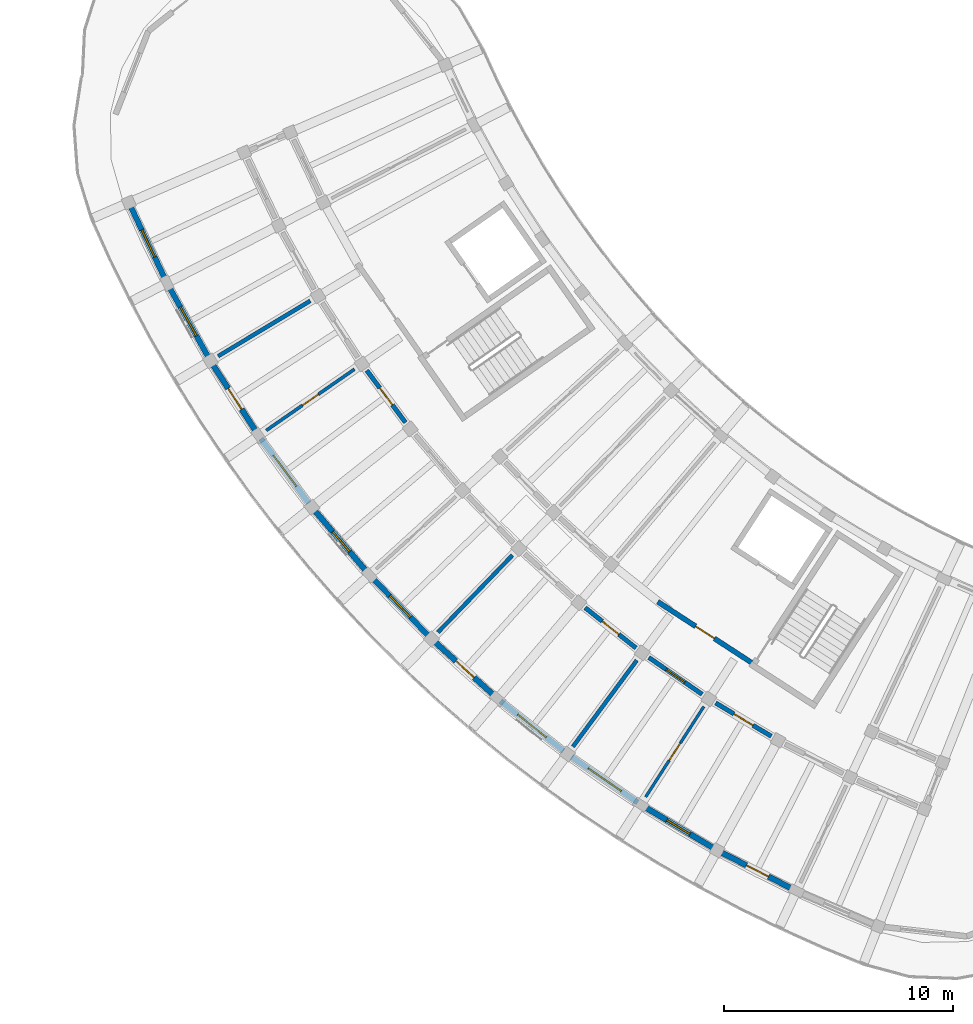
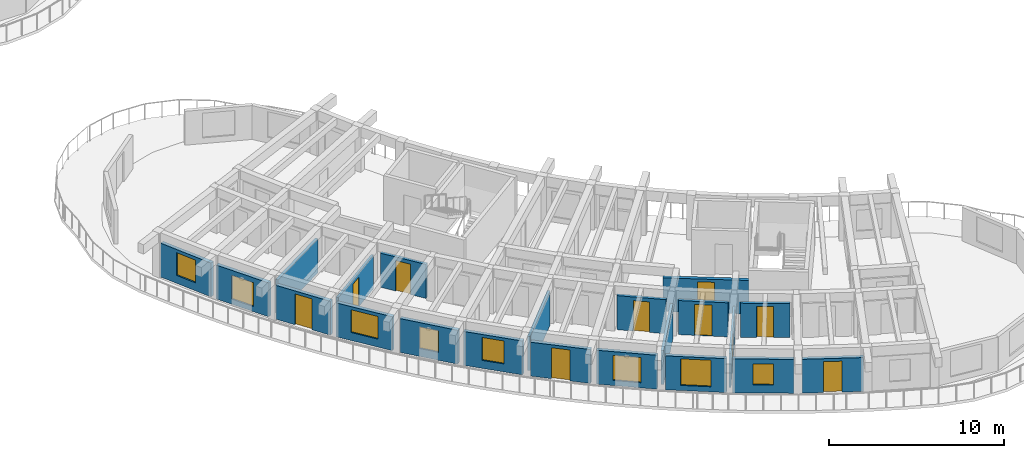
# One storey, part 22 of 56: 21 walls, 10 doors, 8 windows, 18 openings.
"""IFC4 building model written with IfcOpenShell, lengths in metres."""

import ifcopenshell
import ifcopenshell.guid

model = None  # the IFC model being written
_history = None  # IfcOwnerHistory: only IFC2X3 demands one
_inside = {}  # id of a spatial element -> (the spatial element, [elements in it])
_under = {}  # id of a project, library or spatial element -> (it, [spatial elements below it])
_declared = {}  # id of a project -> (the project, [libraries it declares])
_typed = {}  # id of a type object -> (the type object, [elements of that type])
_made_of = {}  # id of a material, layer set ... -> (it, [elements and type objects made of it])


def new_model(schema):
    """Start an empty IFC model of exactly this schema.

    Asked for "IFC4X3", IfcOpenShell would pick the latest addendum, in which some entities
    have other attributes; the version numbers below select the first issue.
    IFC2X3 requires an IfcOwnerHistory on every rooted entity: one is made here for all.
    """
    global model, _history
    if schema == "IFC4X3":
        model = ifcopenshell.file(schema_version=(4, 3, 0, 0))
    else:
        model = ifcopenshell.file(schema=schema)
    _inside.clear()
    _under.clear()
    _declared.clear()
    _typed.clear()
    _made_of.clear()
    _history = None
    if model.schema == "IFC2X3":
        org = make("IfcOrganization", Name="unknown")
        user = make(
            "IfcPersonAndOrganization",
            ThePerson=make("IfcPerson", FamilyName="unknown"),
            TheOrganization=org,
        )
        app = make(
            "IfcApplication",
            ApplicationDeveloper=org,
            Version="unknown",
            ApplicationFullName="unknown",
            ApplicationIdentifier="unknown",
        )
        _history = make(
            "IfcOwnerHistory",
            OwningUser=user,
            OwningApplication=app,
            ChangeAction="ADDED",
            CreationDate=0,
        )
    return model


def make(cls, **values):
    """One entity of the class cls with the attributes given. An attribute that is None is left unset."""
    return model.create_entity(
        cls, **{name: value for name, value in values.items() if value is not None}
    )


def rooted(cls, **values):
    """An entity with a GlobalId (a new one), such as an element, a storey or a relation."""
    return make(cls, GlobalId=ifcopenshell.guid.new(), OwnerHistory=_history, **values)


def si_unit(unit_type, name, prefix=None):
    """IfcSIUnit, for example si_unit("LENGTHUNIT", "METRE", prefix="MILLI")."""
    return make("IfcSIUnit", UnitType=unit_type, Prefix=prefix, Name=name)


def assignment(units):
    """IfcUnitAssignment: the units of a project."""
    return None if units is None else make("IfcUnitAssignment", Units=units)


def point(xyz):
    """IfcCartesianPoint."""
    return None if xyz is None else make("IfcCartesianPoint", Coordinates=xyz)


def direction(xyz):
    """IfcDirection."""
    return None if xyz is None else make("IfcDirection", DirectionRatios=xyz)


def frame(location, z_axis=None, x_axis=None):
    """IfcAxis2Placement3D, a coordinate frame: its origin and axes. An axis left out is left unset."""
    return make(
        "IfcAxis2Placement3D",
        Location=point(location),
        Axis=direction(z_axis),
        RefDirection=direction(x_axis),
    )


def frame_2d(location, x_axis=None):
    """IfcAxis2Placement2D, a coordinate frame in the plane: its origin and x axis."""
    return make(
        "IfcAxis2Placement2D", Location=point(location), RefDirection=direction(x_axis)
    )


def origin():
    """The frame at (0, 0, 0) with its axes left unset."""
    return frame((0.0, 0.0, 0.0))


def place(relative_to, where):
    """IfcLocalPlacement: puts the frame where relative to a parent placement (None: the world)."""
    return make(
        "IfcLocalPlacement", PlacementRelTo=relative_to, RelativePlacement=where
    )


def context(
    kind, dimensions, precision=None, world=None, true_north=None, identifier=None
):
    """IfcGeometricRepresentationContext, for example the 3D "Model" context."""
    return make(
        "IfcGeometricRepresentationContext",
        ContextIdentifier=identifier,
        ContextType=kind,
        CoordinateSpaceDimension=dimensions,
        Precision=precision,
        WorldCoordinateSystem=world,
        TrueNorth=true_north,
    )


def subcontext(parent, identifier, kind, view, scale=None):
    """IfcGeometricRepresentationSubContext, for example "Body" below "Model"."""
    return make(
        "IfcGeometricRepresentationSubContext",
        ContextIdentifier=identifier,
        ContextType=kind,
        ParentContext=parent,
        TargetScale=scale,
        TargetView=view,
    )


def project(units=None, contexts=None):
    """IfcProject with its units and contexts."""
    return rooted(
        "IfcProject",
        Name="project",
        RepresentationContexts=contexts,
        UnitsInContext=assignment(units),
    )


def spatial(cls, under=None, at=None, **own):
    """A site, building, storey or space (cls), placed at a placement, below another one or the project."""
    s = rooted(cls, ObjectPlacement=at, **own)
    if under is not None:
        _under.setdefault(under.id(), (under, []))[1].append(s)
    return s


def profile(cls, at=None, kind="AREA", **sizes):
    """A parametric profile (cls). Its sizes go by their IFC names, for example OverallWidth=200.0."""
    return make(cls, ProfileType=kind, Position=at, **sizes)


def rectangle(**sizes):
    """IfcRectangleProfileDef."""
    return profile("IfcRectangleProfileDef", **sizes)


def extrude(swept, where, along, depth):
    """IfcExtrudedAreaSolid: the profile swept, set in the frame where, extruded along a direction by depth."""
    return make(
        "IfcExtrudedAreaSolid",
        SweptArea=swept,
        Position=where,
        ExtrudedDirection=direction(along),
        Depth=depth,
    )


def shape(context_of_items, identifier, shape_type, items):
    """IfcShapeRepresentation: the items that make up one representation, for example the "Body"."""
    return make(
        "IfcShapeRepresentation",
        ContextOfItems=context_of_items,
        RepresentationIdentifier=identifier,
        RepresentationType=shape_type,
        Items=items,
    )


def material(Name=None, Category=None):
    """IfcMaterial."""
    return make("IfcMaterial", Name=Name, Category=Category)


def layer(
    of_material, thickness, ventilated=None, Name=None, Category=None, Priority=None
):
    """IfcMaterialLayer: one layer of a wall or slab, of a material (None: an air gap)."""
    return make(
        "IfcMaterialLayer",
        Material=of_material,
        LayerThickness=thickness,
        IsVentilated=ventilated,
        Name=Name,
        Category=Category,
        Priority=Priority,
    )


def layer_set(layers, Name=None):
    """IfcMaterialLayerSet."""
    return make("IfcMaterialLayerSet", MaterialLayers=layers, LayerSetName=Name)


def made_of(thing, what):
    """Note that an element or type object is made of a material, layer set ...; save() writes the relation."""
    if what is not None:
        _made_of.setdefault(what.id(), (what, []))[1].append(thing)
    return thing


def type_object(cls, material=None, **own):
    """A type object (cls), such as IfcWallType, which elements share."""
    return made_of(rooted(cls, **own), material)


def element(
    cls,
    number,
    at=None,
    inside=None,
    cuts=None,
    type_object=None,
    material=None,
    context=None,
    identifier="Body",
    shape_type=None,
    held_by="IfcProductDefinitionShape",
    body=None,
    shapes=None,
    **own,
):
    """One element of the class cls, such as IfcWall. Its Tag is "e" and its number.

    at: its placement. inside: the storey or other place that contains it. cuts: it is an
    opening in that element (IfcRelVoidsElement). A single representation is given by context,
    identifier, shape_type and body (its items); several are given by shapes. held_by: the class
    of the entity that holds the representations. save() writes the other relations.
    """
    e = rooted(cls, Tag="e%d" % number, ObjectPlacement=at, **own)
    if body is not None:
        shapes = [shape(context, identifier, shape_type, body)]
    if shapes is not None:
        e.Representation = make(held_by, Representations=shapes)
    if inside is not None:
        _inside.setdefault(inside.id(), (inside, []))[1].append(e)
    if cuts is not None:
        rooted(
            "IfcRelVoidsElement", RelatingBuildingElement=cuts, RelatedOpeningElement=e
        )
    if type_object is not None:
        _typed.setdefault(type_object.id(), (type_object, []))[1].append(e)
    return made_of(e, material)


def fill(opening, filler):
    """IfcRelFillsElement: the door or window that sits in an opening."""
    return rooted(
        "IfcRelFillsElement",
        RelatingOpeningElement=opening,
        RelatedBuildingElement=filler,
    )


def aggregate(whole, parts):
    """IfcRelAggregates: a whole, such as a stair, and the parts it consists of."""
    return rooted("IfcRelAggregates", RelatingObject=whole, RelatedObjects=parts)


def save(model, path):
    """Write the relations noted so far, then the file.

    IfcRelAggregates (storeys below a building ...), IfcRelContainedInSpatialStructure (elements
    in a storey), IfcRelDefinesByType, IfcRelAssociatesMaterial and IfcRelDeclares: one each for
    every whole, place, type object, material and project.
    """
    for whole, parts in _under.values():
        aggregate(whole, parts)
    for where, things in _inside.values():
        rooted(
            "IfcRelContainedInSpatialStructure",
            RelatedElements=things,
            RelatingStructure=where,
        )
    for kind, things in _typed.values():
        rooted("IfcRelDefinesByType", RelatedObjects=things, RelatingType=kind)
    for what, things in _made_of.values():
        rooted("IfcRelAssociatesMaterial", RelatedObjects=things, RelatingMaterial=what)
    for by, libraries in _declared.values():
        rooted("IfcRelDeclares", RelatingContext=by, RelatedDefinitions=libraries)
    model.write(path)


model = new_model("IFC4")

# Units and contexts
model_context = context("Model", 3, precision=1e-05, world=origin(), true_north=direction((0.0, 1.0)))
body_context = subcontext(model_context, "Body", "Model", "MODEL_VIEW")
ifc_project = project(units=[si_unit("LENGTHUNIT", "METRE"), si_unit("AREAUNIT", "SQUARE_METRE"), si_unit("VOLUMEUNIT", "CUBIC_METRE"), si_unit("PLANEANGLEUNIT", "RADIAN"), si_unit("MASSUNIT", "GRAM", prefix="KILO")], contexts=[model_context])

# Site, building, storey
site_placement = place(None, origin())
site = spatial("IfcSite", under=ifc_project, at=site_placement, CompositionType="ELEMENT")
building_placement = place(site_placement, origin())
building = spatial("IfcBuilding", under=site, at=building_placement, Name="Tanwirah Colonnade Gardens", CompositionType="ELEMENT")
storey_placement = place(building_placement, frame((0.0, 0.0, 29.0)))
storey = spatial("IfcBuildingStorey", under=building, at=storey_placement, Name="L08", CompositionType="ELEMENT", Elevation=29.0)

# Wall, opening, window
ifc_material_1 = material(Name="Limestone architectural precast concrete C40/50", Category="masonry")
ifc_layer_1 = layer(ifc_material_1, 0.2451171875)
ifc_layer_set_1 = layer_set([ifc_layer_1], Name="Limestone architectural precast concrete C40/50")
wall_type_1 = type_object("IfcWallType", Name="EW-PC245", PredefinedType="SOLIDWALL", material=ifc_layer_set_1)
wall_1_placement = place(storey_placement, frame((10.485595703125, 40.55126953125, 0.0), z_axis=(0.0, 0.0, 1.0), x_axis=(0.428487304129, -0.903547801835, 0.0)))
wall_1 = element("IfcWall", 1, at=wall_1_placement, inside=storey, type_object=wall_type_1, Name="Block C L08 OUT Precast Facade Wall 2", PredefinedType="SOLIDWALL", context=body_context, shape_type="SweptSolid", body=[
    extrude(rectangle(XDim=3.5068359375, YDim=0.2451171875, at=frame_2d((1.75341796875, 0.0))), origin(), (0.0, 0.0, 1.0), 2.35498046875),
])
opening_1_placement = place(wall_1_placement, frame((1.093505859375, 0.0, 0.550048828125)))
opening_1 = element("IfcOpeningElement", 2, at=opening_1_placement, cuts=wall_1, Name="Opening WIN-U05", PredefinedType="OPENING", context=body_context, shape_type="SweptSolid", body=[
    extrude(rectangle(XDim=1.320068359375, YDim=1.5849609375, at=frame_2d((0.66015625, 0.79248046875))), frame((0.0, 0.132568359375, 0.0), z_axis=(0.0, -1.0, 0.0), x_axis=(1.0, 0.0, 0.0)), (0.0, 0.0, 1.0), 0.26513671875),
])
ifc_material_2 = material(Name="Thermally broken bronze aluminium and solar low-E double glazing", Category="aluminium")
window_type_1 = type_object("IfcWindowType", Name="WIN-U05", PartitioningType="DOUBLE_PANEL_VERTICAL", PredefinedType="WINDOW", material=ifc_material_2)
window_1_placement = place(opening_1_placement, origin())
window_1 = element("IfcWindow", 3, at=window_1_placement, inside=storey, type_object=window_type_1, Name="Facade window C-L08-OUT-02", OverallHeight=1.5849609375, OverallWidth=1.320068359375, PartitioningType="SINGLE_PANEL", PredefinedType="WINDOW", context=body_context, shape_type="SweptSolid", body=[
    extrude(rectangle(XDim=1.320068359375, YDim=1.5849609375, at=frame_2d((0.66015625, 0.79248046875))), frame((0.0, 0.030029296875, 0.0), z_axis=(0.0, -1.0, 0.0), x_axis=(1.0, 0.0, 0.0)), (0.0, 0.0, 1.0), 0.06005859375),
])
fill(opening_1, window_1)

wall_2_placement = place(storey_placement, frame((12.139404296875, 37.08935546875, 0.0), z_axis=(0.0, 0.0, 1.0), x_axis=(0.486730241133, -0.873552329495, 0.0)))
wall_2 = element("IfcWall", 4, at=wall_2_placement, inside=storey, type_object=wall_type_1, Name="Block C L08 OUT Precast Facade Wall 3", PredefinedType="SOLIDWALL", context=body_context, shape_type="SweptSolid", body=[
    extrude(rectangle(XDim=3.506591796875, YDim=0.2451171875, at=frame_2d((1.75341796875, 0.0))), origin(), (0.0, 0.0, 1.0), 2.35498046875),
])
opening_2_placement = place(wall_2_placement, frame((1.033447265625, 0.0, 0.35009765625)))
opening_2 = element("IfcOpeningElement", 5, at=opening_2_placement, cuts=wall_2, Name="Opening WIN-U08", PredefinedType="OPENING", context=body_context, shape_type="SweptSolid", body=[
    extrude(rectangle(XDim=1.43994140625, YDim=1.659912109375, at=frame_2d((0.719970703125, 0.830078125))), frame((0.0, 0.132568359375, 0.0), z_axis=(0.0, -1.0, 0.0), x_axis=(1.0, 0.0, 0.0)), (0.0, 0.0, 1.0), 0.26513671875),
])
window_type_2 = type_object("IfcWindowType", Name="WIN-U08", PartitioningType="DOUBLE_PANEL_VERTICAL", PredefinedType="WINDOW", material=ifc_material_2)
window_2_placement = place(opening_2_placement, origin())
window_2 = element("IfcWindow", 6, at=window_2_placement, inside=storey, type_object=window_type_2, Name="Facade window C-L08-OUT-03", OverallHeight=1.659912109375, OverallWidth=1.43994140625, PartitioningType="SINGLE_PANEL", PredefinedType="WINDOW", context=body_context, shape_type="SweptSolid", body=[
    extrude(rectangle(XDim=1.43994140625, YDim=1.659912109375, at=frame_2d((0.719970703125, 0.830078125))), frame((0.0, 0.030029296875, 0.0), z_axis=(0.0, -1.0, 0.0), x_axis=(1.0, 0.0, 0.0)), (0.0, 0.0, 1.0), 0.06005859375),
])
fill(opening_2, window_2)

# Wall, opening, door
wall_3_placement = place(storey_placement, frame((14.077880859375, 33.640625, 0.0), z_axis=(0.0, 0.0, 1.0), x_axis=(0.542803784415, -0.839859542796, 0.0)))
wall_3 = element("IfcWall", 7, at=wall_3_placement, inside=storey, type_object=wall_type_1, Name="Block C L08 OUT Precast Facade Wall 4", PredefinedType="SOLIDWALL", context=body_context, shape_type="SweptSolid", body=[
    extrude(rectangle(XDim=3.5068359375, YDim=0.2451171875, at=frame_2d((1.75341796875, 0.0))), origin(), (0.0, 0.0, 1.0), 2.35498046875),
])
opening_3_placement = place(wall_3_placement, frame((1.21337890625, 0.0, 0.0)))
opening_3 = element("IfcOpeningElement", 8, at=opening_3_placement, cuts=wall_3, Name="Opening L08-ED163", PredefinedType="OPENING", context=body_context, shape_type="SweptSolid", body=[
    extrude(rectangle(XDim=1.080078125, YDim=2.14990234375, at=frame_2d((0.5400390625, 1.074951171875))), frame((0.0, 0.132568359375, 0.0), z_axis=(0.0, -1.0, 0.0), x_axis=(1.0, 0.0, 0.0)), (0.0, 0.0, 1.0), 0.26513671875),
])
ifc_material_3 = material(Name="Bronze aluminium glazed balcony door", Category="aluminium")
door_type_1 = type_object("IfcDoorType", Name="ED-BAL108", OperationType="NOTDEFINED", PredefinedType="DOOR", material=ifc_material_3)
door_1_placement = place(opening_3_placement, origin())
door_1 = element("IfcDoor", 9, at=door_1_placement, inside=storey, type_object=door_type_1, Name="Balcony glazed door L08-ED163", OperationType="SINGLE_SWING_LEFT", OverallHeight=2.14990234375, OverallWidth=1.080078125, PredefinedType="DOOR", context=body_context, shape_type="SweptSolid", body=[
    extrude(rectangle(XDim=1.080078125, YDim=2.14990234375, at=frame_2d((0.5400390625, 1.074951171875))), frame((0.0, 0.02490234375, 0.0), z_axis=(0.0, -1.0, 0.0), x_axis=(1.0, 0.0, 0.0)), (0.0, 0.0, 1.0), 0.050048828125),
])
fill(opening_3, door_1)

# Wall, opening, window
wall_4_placement = place(storey_placement, frame((16.16943359375, 30.42431640625, 0.0), z_axis=(0.0, 0.0, 1.0), x_axis=(0.596563667114, -0.802565754988, 0.0)))
wall_4 = element("IfcWall", 10, at=wall_4_placement, inside=storey, type_object=wall_type_1, Name="Block C L08 OUT Precast Facade Wall 5", PredefinedType="SOLIDWALL", context=body_context, shape_type="SweptSolid", body=[
    extrude(rectangle(XDim=3.5068359375, YDim=0.2451171875, at=frame_2d((1.75341796875, 0.0))), origin(), (0.0, 0.0, 1.0), 2.35498046875),
])
opening_4_placement = place(wall_4_placement, frame((0.913330078125, 0.0, 0.550048828125)))
opening_4 = element("IfcOpeningElement", 11, at=opening_4_placement, cuts=wall_4, Name="Opening WIN-U14", PredefinedType="OPENING", context=body_context, shape_type="SweptSolid", body=[
    extrude(rectangle(XDim=1.679931640625, YDim=1.5849609375, at=frame_2d((0.83984375, 0.79248046875))), frame((0.0, 0.132568359375, 0.0), z_axis=(0.0, -1.0, 0.0), x_axis=(1.0, 0.0, 0.0)), (0.0, 0.0, 1.0), 0.26513671875),
])
window_type_3 = type_object("IfcWindowType", Name="WIN-U14", PartitioningType="DOUBLE_PANEL_VERTICAL", PredefinedType="WINDOW", material=ifc_material_2)
window_3_placement = place(opening_4_placement, origin())
window_3 = element("IfcWindow", 12, at=window_3_placement, inside=storey, type_object=window_type_3, Name="Facade window C-L08-OUT-05", OverallHeight=1.5849609375, OverallWidth=1.679931640625, PartitioningType="SINGLE_PANEL", PredefinedType="WINDOW", context=body_context, shape_type="SweptSolid", body=[
    extrude(rectangle(XDim=1.679931640625, YDim=1.5849609375, at=frame_2d((0.83984375, 0.79248046875))), frame((0.0, 0.030029296875, 0.0), z_axis=(0.0, -1.0, 0.0), x_axis=(1.0, 0.0, 0.0)), (0.0, 0.0, 1.0), 0.06005859375),
])
fill(opening_4, window_3)

wall_5_placement = place(storey_placement, frame((18.54150390625, 27.2578125, 0.0), z_axis=(0.0, 0.0, 1.0), x_axis=(0.647787845689, -0.761820784028, 0.0)))
wall_5 = element("IfcWall", 13, at=wall_5_placement, inside=storey, type_object=wall_type_1, Name="Block C L08 OUT Precast Facade Wall 6", PredefinedType="SOLIDWALL", context=body_context, shape_type="SweptSolid", body=[
    extrude(rectangle(XDim=3.5068359375, YDim=0.2451171875, at=frame_2d((1.75341796875, 0.0))), origin(), (0.0, 0.0, 1.0), 2.35498046875),
])
opening_5_placement = place(wall_5_placement, frame((1.178466796875, 0.0, 0.550048828125)))
opening_5 = element("IfcOpeningElement", 14, at=opening_5_placement, cuts=wall_5, Name="Opening WIN-T01", PredefinedType="OPENING", context=body_context, shape_type="SweptSolid", body=[
    extrude(rectangle(XDim=1.14990234375, YDim=1.5, at=frame_2d((0.574951171875, 0.75))), frame((0.0, 0.132568359375, 0.0), z_axis=(0.0, -1.0, 0.0), x_axis=(1.0, 0.0, 0.0)), (0.0, 0.0, 1.0), 0.26513671875),
])
window_type_4 = type_object("IfcWindowType", Name="WIN-T01", PartitioningType="SINGLE_PANEL", PredefinedType="WINDOW", material=ifc_material_2)
window_4_placement = place(opening_5_placement, origin())
window_4 = element("IfcWindow", 15, at=window_4_placement, inside=storey, type_object=window_type_4, Name="Facade window C-L08-OUT-06", OverallHeight=1.5, OverallWidth=1.14990234375, PartitioningType="SINGLE_PANEL", PredefinedType="WINDOW", context=body_context, shape_type="SweptSolid", body=[
    extrude(rectangle(XDim=1.14990234375, YDim=1.5, at=frame_2d((0.574951171875, 0.75))), frame((0.0, 0.030029296875, 0.0), z_axis=(0.0, -1.0, 0.0), x_axis=(1.0, 0.0, 0.0)), (0.0, 0.0, 1.0), 0.06005859375),
])
fill(opening_5, window_4)

wall_6_placement = place(storey_placement, frame((21.034912109375, 24.342041015625, 0.0), z_axis=(0.0, 0.0, 1.0), x_axis=(0.696232818878, -0.717816036263, 0.0)))
wall_6 = element("IfcWall", 16, at=wall_6_placement, inside=storey, type_object=wall_type_1, Name="Block C L08 OUT Precast Facade Wall 7", PredefinedType="SOLIDWALL", context=body_context, shape_type="SweptSolid", body=[
    extrude(rectangle(XDim=3.506591796875, YDim=0.2451171875, at=frame_2d((1.75341796875, 0.0))), origin(), (0.0, 0.0, 1.0), 2.35498046875),
])
opening_6_placement = place(wall_6_placement, frame((1.103515625, 0.0, 0.550048828125)))
opening_6 = element("IfcOpeningElement", 17, at=opening_6_placement, cuts=wall_6, Name="Opening WIN-T04", PredefinedType="OPENING", context=body_context, shape_type="SweptSolid", body=[
    extrude(rectangle(XDim=1.300048828125, YDim=1.60009765625, at=frame_2d((0.64990234375, 0.800048828125))), frame((0.0, 0.132568359375, 0.0), z_axis=(0.0, -1.0, 0.0), x_axis=(1.0, 0.0, 0.0)), (0.0, 0.0, 1.0), 0.26513671875),
])
window_type_5 = type_object("IfcWindowType", Name="WIN-T04", PartitioningType="DOUBLE_PANEL_VERTICAL", PredefinedType="WINDOW", material=ifc_material_2)
window_5_placement = place(opening_6_placement, origin())
window_5 = element("IfcWindow", 18, at=window_5_placement, inside=storey, type_object=window_type_5, Name="Facade window C-L08-OUT-07", OverallHeight=1.60009765625, OverallWidth=1.300048828125, PartitioningType="SINGLE_PANEL", PredefinedType="WINDOW", context=body_context, shape_type="SweptSolid", body=[
    extrude(rectangle(XDim=1.300048828125, YDim=1.60009765625, at=frame_2d((0.64990234375, 0.800048828125))), frame((0.0, 0.030029296875, 0.0), z_axis=(0.0, -1.0, 0.0), x_axis=(1.0, 0.0, 0.0)), (0.0, 0.0, 1.0), 0.06005859375),
])
fill(opening_6, window_5)

# Wall, opening, door
wall_7_placement = place(storey_placement, frame((23.800048828125, 21.512451171875, 0.0), z_axis=(0.0, 0.0, 1.0), x_axis=(0.741654519649, -0.670782061093, 0.0)))
wall_7 = element("IfcWall", 19, at=wall_7_placement, inside=storey, type_object=wall_type_1, Name="Block C L08 OUT Precast Facade Wall 8", PredefinedType="SOLIDWALL", context=body_context, shape_type="SweptSolid", body=[
    extrude(rectangle(XDim=3.5068359375, YDim=0.2451171875, at=frame_2d((1.75341796875, 0.0))), origin(), (0.0, 0.0, 1.0), 2.35498046875),
])
opening_7_placement = place(wall_7_placement, frame((1.21337890625, 0.0, 0.0)))
opening_7 = element("IfcOpeningElement", 20, at=opening_7_placement, cuts=wall_7, Name="Opening L08-ED164", PredefinedType="OPENING", context=body_context, shape_type="SweptSolid", body=[
    extrude(rectangle(XDim=1.080078125, YDim=2.14990234375, at=frame_2d((0.5400390625, 1.074951171875))), frame((0.0, 0.132568359375, 0.0), z_axis=(0.0, -1.0, 0.0), x_axis=(1.0, 0.0, 0.0)), (0.0, 0.0, 1.0), 0.26513671875),
])
door_2_placement = place(opening_7_placement, origin())
door_2 = element("IfcDoor", 21, at=door_2_placement, inside=storey, type_object=door_type_1, Name="Balcony glazed door L08-ED164", OperationType="SINGLE_SWING_LEFT", OverallHeight=2.14990234375, OverallWidth=1.080078125, PredefinedType="DOOR", context=body_context, shape_type="SweptSolid", body=[
    extrude(rectangle(XDim=1.080078125, YDim=2.14990234375, at=frame_2d((0.5400390625, 1.074951171875))), frame((0.0, 0.02490234375, 0.0), z_axis=(0.0, -1.0, 0.0), x_axis=(1.0, 0.0, 0.0)), (0.0, 0.0, 1.0), 0.050048828125),
])
fill(opening_7, door_2)

# Wall, opening, window
wall_8_placement = place(storey_placement, frame((26.652587890625, 18.947021484375, 0.0), z_axis=(0.0, 0.0, 1.0), x_axis=(0.783976646649, -0.620790316861, 0.0)))
wall_8 = element("IfcWall", 22, at=wall_8_placement, inside=storey, type_object=wall_type_1, Name="Block C L08 OUT Precast Facade Wall 9", PredefinedType="SOLIDWALL", context=body_context, shape_type="SweptSolid", body=[
    extrude(rectangle(XDim=3.5068359375, YDim=0.2451171875, at=frame_2d((1.75341796875, 0.0))), origin(), (0.0, 0.0, 1.0), 2.35498046875),
])
opening_8_placement = place(wall_8_placement, frame((0.953369140625, 0.0, 0.35009765625)))
opening_8 = element("IfcOpeningElement", 23, at=opening_8_placement, cuts=wall_8, Name="Opening WIN-T10", PredefinedType="OPENING", context=body_context, shape_type="SweptSolid", body=[
    extrude(rectangle(XDim=1.60009765625, YDim=1.75, at=frame_2d((0.800048828125, 0.875))), frame((0.0, 0.132568359375, 0.0), z_axis=(0.0, -1.0, 0.0), x_axis=(1.0, 0.0, 0.0)), (0.0, 0.0, 1.0), 0.26513671875),
])
window_type_6 = type_object("IfcWindowType", Name="WIN-T10", PartitioningType="DOUBLE_PANEL_VERTICAL", PredefinedType="WINDOW", material=ifc_material_2)
window_6_placement = place(opening_8_placement, origin())
window_6 = element("IfcWindow", 24, at=window_6_placement, inside=storey, type_object=window_type_6, Name="Facade window C-L08-OUT-09", OverallHeight=1.75, OverallWidth=1.60009765625, PartitioningType="SINGLE_PANEL", PredefinedType="WINDOW", context=body_context, shape_type="SweptSolid", body=[
    extrude(rectangle(XDim=1.60009765625, YDim=1.75, at=frame_2d((0.800048828125, 0.875))), frame((0.0, 0.030029296875, 0.0), z_axis=(0.0, -1.0, 0.0), x_axis=(1.0, 0.0, 0.0)), (0.0, 0.0, 1.0), 0.06005859375),
])
fill(opening_8, window_6)

wall_9_placement = place(storey_placement, frame((29.763427734375, 16.50244140625, 0.0), z_axis=(0.0, 0.0, 1.0), x_axis=(0.822878299875, -0.568217655125, 0.0)))
wall_9 = element("IfcWall", 25, at=wall_9_placement, inside=storey, type_object=wall_type_1, Name="Block C L08 OUT Precast Facade Wall 10", PredefinedType="SOLIDWALL", context=body_context, shape_type="SweptSolid", body=[
    extrude(rectangle(XDim=3.5068359375, YDim=0.2451171875, at=frame_2d((1.75341796875, 0.0))), origin(), (0.0, 0.0, 1.0), 2.35498046875),
])
opening_9_placement = place(wall_9_placement, frame((0.87841796875, 0.0, 0.35009765625)))
opening_9 = element("IfcOpeningElement", 26, at=opening_9_placement, cuts=wall_9, Name="Opening WIN-T13", PredefinedType="OPENING", context=body_context, shape_type="SweptSolid", body=[
    extrude(rectangle(XDim=1.75, YDim=1.85009765625, at=frame_2d((0.875, 0.925048828125))), frame((0.0, 0.132568359375, 0.0), z_axis=(0.0, -1.0, 0.0), x_axis=(1.0, 0.0, 0.0)), (0.0, 0.0, 1.0), 0.26513671875),
])
window_type_7 = type_object("IfcWindowType", Name="WIN-T13", PartitioningType="TRIPLE_PANEL_VERTICAL", PredefinedType="WINDOW", material=ifc_material_2)
window_7_placement = place(opening_9_placement, origin())
window_7 = element("IfcWindow", 27, at=window_7_placement, inside=storey, type_object=window_type_7, Name="Facade window C-L08-OUT-10", OverallHeight=1.85009765625, OverallWidth=1.75, PartitioningType="SINGLE_PANEL", PredefinedType="WINDOW", context=body_context, shape_type="SweptSolid", body=[
    extrude(rectangle(XDim=1.75, YDim=1.85009765625, at=frame_2d((0.875, 0.925048828125))), frame((0.0, 0.030029296875, 0.0), z_axis=(0.0, -1.0, 0.0), x_axis=(1.0, 0.0, 0.0)), (0.0, 0.0, 1.0), 0.06005859375),
])
fill(opening_9, window_7)

wall_10_placement = place(storey_placement, frame((32.926513671875, 14.33154296875, 0.0), z_axis=(0.0, 0.0, 1.0), x_axis=(0.858272027283, -0.513195018666, 0.0)))
wall_10 = element("IfcWall", 28, at=wall_10_placement, inside=storey, type_object=wall_type_1, Name="Block C L08 OUT Precast Facade Wall 11", PredefinedType="SOLIDWALL", context=body_context, shape_type="SweptSolid", body=[
    extrude(rectangle(XDim=3.507080078125, YDim=0.2451171875, at=frame_2d((1.75341796875, 0.0))), origin(), (0.0, 0.0, 1.0), 2.35498046875),
])
opening_10_placement = place(wall_10_placement, frame((1.163330078125, 0.0, 0.550048828125)))
opening_10 = element("IfcOpeningElement", 29, at=opening_10_placement, cuts=wall_10, Name="Opening WIN-T16", PredefinedType="OPENING", context=body_context, shape_type="SweptSolid", body=[
    extrude(rectangle(XDim=1.179931640625, YDim=1.47998046875, at=frame_2d((0.58984375, 0.739990234375))), frame((0.0, 0.132568359375, 0.0), z_axis=(0.0, -1.0, 0.0), x_axis=(1.0, 0.0, 0.0)), (0.0, 0.0, 1.0), 0.26513671875),
])
window_type_8 = type_object("IfcWindowType", Name="WIN-T16", PartitioningType="SINGLE_PANEL", PredefinedType="WINDOW", material=ifc_material_2)
window_8_placement = place(opening_10_placement, origin())
window_8 = element("IfcWindow", 30, at=window_8_placement, inside=storey, type_object=window_type_8, Name="Facade window C-L08-OUT-11", OverallHeight=1.47998046875, OverallWidth=1.179931640625, PartitioningType="SINGLE_PANEL", PredefinedType="WINDOW", context=body_context, shape_type="SweptSolid", body=[
    extrude(rectangle(XDim=1.179931640625, YDim=1.47998046875, at=frame_2d((0.58984375, 0.739990234375))), frame((0.0, 0.030029296875, 0.0), z_axis=(0.0, -1.0, 0.0), x_axis=(1.0, 0.0, 0.0)), (0.0, 0.0, 1.0), 0.06005859375),
])
fill(opening_10, window_8)

# Wall, opening, door
wall_11_placement = place(storey_placement, frame((36.329833984375, 12.313720703125, 0.0), z_axis=(0.0, 0.0, 1.0), x_axis=(0.890012358945, -0.455936400088, 0.0)))
wall_11 = element("IfcWall", 31, at=wall_11_placement, inside=storey, type_object=wall_type_1, Name="Block C L08 OUT Precast Facade Wall 12", PredefinedType="SOLIDWALL", context=body_context, shape_type="SweptSolid", body=[
    extrude(rectangle(XDim=3.5068359375, YDim=0.2451171875, at=frame_2d((1.75341796875, 0.0))), origin(), (0.0, 0.0, 1.0), 2.35498046875),
])
opening_11_placement = place(wall_11_placement, frame((1.21337890625, 0.0, 0.0)))
opening_11 = element("IfcOpeningElement", 32, at=opening_11_placement, cuts=wall_11, Name="Opening L08-ED165", PredefinedType="OPENING", context=body_context, shape_type="SweptSolid", body=[
    extrude(rectangle(XDim=1.080078125, YDim=2.14990234375, at=frame_2d((0.5400390625, 1.074951171875))), frame((0.0, 0.132568359375, 0.0), z_axis=(0.0, -1.0, 0.0), x_axis=(1.0, 0.0, 0.0)), (0.0, 0.0, 1.0), 0.26513671875),
])
door_3_placement = place(opening_11_placement, origin())
door_3 = element("IfcDoor", 33, at=door_3_placement, inside=storey, type_object=door_type_1, Name="Balcony glazed door L08-ED165", OperationType="SINGLE_SWING_LEFT", OverallHeight=2.14990234375, OverallWidth=1.080078125, PredefinedType="DOOR", context=body_context, shape_type="SweptSolid", body=[
    extrude(rectangle(XDim=1.080078125, YDim=2.14990234375, at=frame_2d((0.5400390625, 1.074951171875))), frame((0.0, 0.02490234375, 0.0), z_axis=(0.0, -1.0, 0.0), x_axis=(1.0, 0.0, 0.0)), (0.0, 0.0, 1.0), 0.050048828125),
])
fill(opening_11, door_3)

ifc_material_4 = material(Name="Precast concrete C40/50", Category="concrete")
ifc_layer_2 = layer(ifc_material_4, 0.195068359375)
ifc_layer_set_2 = layer_set([ifc_layer_2], Name="Precast concrete C40/50")
wall_type_2 = type_object("IfcWallType", Name="IW-CORR195", PredefinedType="PARTITIONING", material=ifc_layer_set_2)
wall_12_placement = place(storey_placement, frame((20.798828125, 33.410888671875, 0.0), z_axis=(0.0, 0.0, 1.0), x_axis=(0.596552136601, -0.802574325727, 0.0)))
wall_12 = element("IfcWall", 34, at=wall_12_placement, inside=storey, type_object=wall_type_2, Name="Block C L08 OUT Corridor Wall 5", PredefinedType="PARTITIONING", context=body_context, shape_type="SweptSolid", body=[
    extrude(rectangle(XDim=2.8369140625, YDim=0.195068359375, at=frame_2d((1.41845703125, 0.0))), origin(), (0.0, 0.0, 1.0), 2.3701171875),
])
opening_12_placement = place(wall_12_placement, frame((0.95361328125, 0.0, 0.0)))
opening_12 = element("IfcOpeningElement", 35, at=opening_12_placement, cuts=wall_12, Name="Opening L08-AD1581", PredefinedType="OPENING", context=body_context, shape_type="SweptSolid", body=[
    extrude(rectangle(XDim=0.929931640625, YDim=2.1201171875, at=frame_2d((0.46484375, 1.06005859375))), frame((0.0, 0.107421875, 0.0), z_axis=(0.0, -1.0, 0.0), x_axis=(1.0, 0.0, 0.0)), (0.0, 0.0, 1.0), 0.215087890625),
])
ifc_material_5 = material(Name="Solid oak fire-resisting apartment entrance door")
door_type_2 = type_object("IfcDoorType", Name="ID-FLT093", OperationType="NOTDEFINED", PredefinedType="DOOR", material=ifc_material_5)
door_4_placement = place(opening_12_placement, origin())
door_4 = element("IfcDoor", 36, at=door_4_placement, inside=storey, type_object=door_type_2, Name="Apartment corridor door L08-AD1581", OperationType="SINGLE_SWING_RIGHT", OverallHeight=2.1201171875, OverallWidth=0.929931640625, PredefinedType="DOOR", context=body_context, shape_type="SweptSolid", body=[
    extrude(rectangle(XDim=0.929931640625, YDim=2.1201171875, at=frame_2d((0.46484375, 1.06005859375))), frame((0.0, 0.02490234375, 0.0), z_axis=(0.0, -1.0, 0.0), x_axis=(1.0, 0.0, 0.0)), (0.0, 0.0, 1.0), 0.050048828125),
])
fill(opening_12, door_4)

wall_13_placement = place(storey_placement, frame((30.351318359375, 23.030029296875, 0.0), z_axis=(0.0, 0.0, 1.0), x_axis=(0.783965548427, -0.620804332201, 0.0)))
wall_13 = element("IfcWall", 37, at=wall_13_placement, inside=storey, type_object=wall_type_2, Name="Block C L08 OUT Corridor Wall 9", PredefinedType="PARTITIONING", context=body_context, shape_type="SweptSolid", body=[
    extrude(rectangle(XDim=2.8369140625, YDim=0.195068359375, at=frame_2d((1.41845703125, 0.0))), origin(), (0.0, 0.0, 1.0), 2.3701171875),
])
opening_13_placement = place(wall_13_placement, frame((0.95361328125, 0.0, 0.0)))
opening_13 = element("IfcOpeningElement", 38, at=opening_13_placement, cuts=wall_13, Name="Opening L08-AD1591", PredefinedType="OPENING", context=body_context, shape_type="SweptSolid", body=[
    extrude(rectangle(XDim=0.929931640625, YDim=2.1201171875, at=frame_2d((0.46484375, 1.06005859375))), frame((0.0, 0.107421875, 0.0), z_axis=(0.0, -1.0, 0.0), x_axis=(1.0, 0.0, 0.0)), (0.0, 0.0, 1.0), 0.215087890625),
])
door_5_placement = place(opening_13_placement, origin())
door_5 = element("IfcDoor", 39, at=door_5_placement, inside=storey, type_object=door_type_2, Name="Apartment corridor door L08-AD1591", OperationType="SINGLE_SWING_RIGHT", OverallHeight=2.1201171875, OverallWidth=0.929931640625, PredefinedType="DOOR", context=body_context, shape_type="SweptSolid", body=[
    extrude(rectangle(XDim=0.929931640625, YDim=2.1201171875, at=frame_2d((0.46484375, 1.06005859375))), frame((0.0, 0.02490234375, 0.0), z_axis=(0.0, -1.0, 0.0), x_axis=(1.0, 0.0, 0.0)), (0.0, 0.0, 1.0), 0.050048828125),
])
fill(opening_13, door_5)

wall_14_placement = place(storey_placement, frame((33.137939453125, 20.852783203125, 0.0), z_axis=(0.0, 0.0, 1.0), x_axis=(0.822870075235, -0.568229565653, 0.0)))
wall_14 = element("IfcWall", 40, at=wall_14_placement, inside=storey, type_object=wall_type_2, Name="Block C L08 OUT Corridor Wall 10", PredefinedType="PARTITIONING", context=body_context, shape_type="SweptSolid", body=[
    extrude(rectangle(XDim=2.8369140625, YDim=0.195068359375, at=frame_2d((1.41845703125, 0.0))), origin(), (0.0, 0.0, 1.0), 2.3701171875),
])
opening_14_placement = place(wall_14_placement, frame((0.923583984375, 0.0, 0.0)))
opening_14 = element("IfcOpeningElement", 41, at=opening_14_placement, cuts=wall_14, Name="Opening L08-AD1592", PredefinedType="OPENING", context=body_context, shape_type="SweptSolid", body=[
    extrude(rectangle(XDim=0.989990234375, YDim=2.159912109375, at=frame_2d((0.4951171875, 1.080078125))), frame((0.0, 0.107421875, 0.0), z_axis=(0.0, -1.0, 0.0), x_axis=(1.0, 0.0, 0.0)), (0.0, 0.0, 1.0), 0.215087890625),
])
door_type_3 = type_object("IfcDoorType", Name="ID-FLT099", OperationType="NOTDEFINED", PredefinedType="DOOR", material=ifc_material_5)
door_6_placement = place(opening_14_placement, origin())
door_6 = element("IfcDoor", 42, at=door_6_placement, inside=storey, type_object=door_type_3, Name="Apartment corridor door L08-AD1592", OperationType="SINGLE_SWING_LEFT", OverallHeight=2.159912109375, OverallWidth=0.989990234375, PredefinedType="DOOR", context=body_context, shape_type="SweptSolid", body=[
    extrude(rectangle(XDim=0.989990234375, YDim=2.159912109375, at=frame_2d((0.4951171875, 1.080078125))), frame((0.0, 0.02490234375, 0.0), z_axis=(0.0, -1.0, 0.0), x_axis=(1.0, 0.0, 0.0)), (0.0, 0.0, 1.0), 0.050048828125),
])
fill(opening_14, door_6)

wall_15_placement = place(storey_placement, frame((36.060791015625, 18.8623046875, 0.0), z_axis=(0.0, 0.0, 1.0), x_axis=(0.858281647443, -0.51317892948, 0.0)))
wall_15 = element("IfcWall", 43, at=wall_15_placement, inside=storey, type_object=wall_type_2, Name="Block C L08 OUT Corridor Wall 11", PredefinedType="PARTITIONING", context=body_context, shape_type="SweptSolid", body=[
    extrude(rectangle(XDim=2.8369140625, YDim=0.195068359375, at=frame_2d((1.41845703125, 0.0))), origin(), (0.0, 0.0, 1.0), 2.3701171875),
])
opening_15_placement = place(wall_15_placement, frame((0.93359375, 0.0, 0.0)))
opening_15 = element("IfcOpeningElement", 44, at=opening_15_placement, cuts=wall_15, Name="Opening L08-AD1594", PredefinedType="OPENING", context=body_context, shape_type="SweptSolid", body=[
    extrude(rectangle(XDim=0.969970703125, YDim=2.14990234375, at=frame_2d((0.48486328125, 1.074951171875))), frame((0.0, 0.107421875, 0.0), z_axis=(0.0, -1.0, 0.0), x_axis=(1.0, 0.0, 0.0)), (0.0, 0.0, 1.0), 0.215087890625),
])
door_type_4 = type_object("IfcDoorType", Name="ID-FLT097", OperationType="NOTDEFINED", PredefinedType="DOOR", material=ifc_material_5)
door_7_placement = place(opening_15_placement, origin())
door_7 = element("IfcDoor", 45, at=door_7_placement, inside=storey, type_object=door_type_4, Name="Apartment corridor door L08-AD1594", OperationType="SINGLE_SWING_RIGHT", OverallHeight=2.14990234375, OverallWidth=0.969970703125, PredefinedType="DOOR", context=body_context, shape_type="SweptSolid", body=[
    extrude(rectangle(XDim=0.969970703125, YDim=2.14990234375, at=frame_2d((0.48486328125, 1.074951171875))), frame((0.0, 0.02490234375, 0.0), z_axis=(0.0, -1.0, 0.0), x_axis=(1.0, 0.0, 0.0)), (0.0, 0.0, 1.0), 0.050048828125),
])
fill(opening_15, door_7)

# Walls
ifc_layer_3 = layer(ifc_material_4, 0.175048828125)
ifc_layer_set_3 = layer_set([ifc_layer_3], Name="Precast concrete C40/50")
wall_type_3 = type_object("IfcWallType", Name="IW-DEM175", PredefinedType="PARTITIONING", material=ifc_layer_set_3)
for number, where, z_axis, x_axis, name in (
    (46, (18.3271484375, 36.456298828125, 0.0), (0.0, 0.0, 1.0), (-0.857139805444, -0.515083831937, 0.0), "Block C L08 Radial Partition 3"),
    (47, (27.17578125, 25.33203125, 0.0), (0.0, 0.0, 1.0), (-0.69466218314, -0.719336118456, 0.0), "Block C L08 Radial Partition 7"),
    (48, (32.61181640625, 20.72998046875, 0.0), (0.0, 0.0, 1.0), (-0.59482622273, -0.803854318116, 0.0), "Block C L08 Radial Partition 9"),
):
    element("IfcWall", number, at=place(storey_placement, frame(where, z_axis=z_axis, x_axis=x_axis)), inside=storey, type_object=wall_type_3, Name=name, PredefinedType="PARTITIONING", context=body_context, shape_type="SweptSolid", body=[
        extrude(rectangle(XDim=4.699951171875, YDim=0.175048828125, at=frame_2d((2.35009765625, 0.0))), origin(), (0.0, 0.0, 1.0), 2.3701171875),
    ])

# Wall, opening, door
ifc_material_6 = material(Name="Autoclaved aerated masonry blockwork", Category="masonry")
ifc_layer_4 = layer(ifc_material_6, 0.219970703125)
ifc_layer_set_4 = layer_set([ifc_layer_4], Name="Autoclaved aerated masonry blockwork")
wall_type_4 = type_object("IfcWallType", Name="IW-FFL220", PredefinedType="PARTITIONING", material=ifc_layer_set_4)
wall_16_placement = place(storey_placement, frame((37.638916015625, 20.623291015625, 0.0), z_axis=(0.0, 0.0, 1.0), x_axis=(-0.838681446513, 0.544622283124, 0.0)))
wall_16 = element("IfcWall", 49, at=wall_16_placement, inside=storey, type_object=wall_type_4, Name="CORE-C2 L08 Enclosed Lobby Fire Wall", PredefinedType="PARTITIONING", context=body_context, shape_type="SweptSolid", body=[
    extrude(rectangle(XDim=4.900146484375, YDim=0.219970703125, at=frame_2d((2.4501953125, 0.0))), origin(), (0.0, 0.0, 1.0), 2.340087890625),
])
opening_16_placement = place(wall_16_placement, frame((1.949951171875, 0.0, 0.0)))
opening_16 = element("IfcOpeningElement", 50, at=opening_16_placement, cuts=wall_16, Name="Opening L08-LD166", PredefinedType="OPENING", context=body_context, shape_type="SweptSolid", body=[
    extrude(rectangle(XDim=0.97998046875, YDim=2.139892578125, at=frame_2d((0.489990234375, 1.06982421875))), frame((0.0, 0.119873046875, 0.0), z_axis=(0.0, -1.0, 0.0), x_axis=(1.0, 0.0, 0.0)), (0.0, 0.0, 1.0), 0.239990234375),
])
ifc_material_7 = material(Name="Acoustic fire-resisting lobby door")
door_type_5 = type_object("IfcDoorType", Name="ID-FFL098", OperationType="NOTDEFINED", PredefinedType="DOOR", material=ifc_material_7)
door_8_placement = place(opening_16_placement, origin())
door_8 = element("IfcDoor", 51, at=door_8_placement, inside=storey, type_object=door_type_5, Name="CORE-C2 L08 Lobby Fire Door L08-LD166", OperationType="SINGLE_SWING_LEFT", OverallHeight=2.139892578125, OverallWidth=0.97998046875, PredefinedType="DOOR", context=body_context, shape_type="SweptSolid", body=[
    extrude(rectangle(XDim=0.97998046875, YDim=2.139892578125, at=frame_2d((0.489990234375, 1.06982421875))), frame((0.0, 0.02490234375, 0.0), z_axis=(0.0, -1.0, 0.0), x_axis=(1.0, 0.0, 0.0)), (0.0, 0.0, 1.0), 0.050048828125),
])
fill(opening_16, door_8)

ifc_material_8 = material(Name="Moisture-resistant gypsum stud partition")
ifc_layer_5 = layer(ifc_material_8, 0.125)
ifc_layer_set_5 = layer_set([ifc_layer_5], Name="Moisture-resistant gypsum stud partition")
wall_type_5 = type_object("IfcWallType", Name="IW-INT125", PredefinedType="PARTITIONING", material=ifc_layer_set_5)
wall_17_placement = place(storey_placement, frame((35.5439453125, 18.705322265625, 0.0), z_axis=(0.0, 0.0, 1.0), x_axis=(-0.540959731567, -0.84104849374, 0.0)))
wall_17 = element("IfcWall", 52, at=wall_17_placement, inside=storey, type_object=wall_type_5, Name="Block C L08 Radial Partition 10", PredefinedType="PARTITIONING", context=body_context, shape_type="SweptSolid", body=[
    extrude(rectangle(XDim=4.699951171875, YDim=0.125, at=frame_2d((2.35009765625, 0.0))), origin(), (0.0, 0.0, 1.0), 2.3701171875),
])
opening_17_placement = place(wall_17_placement, frame((1.89501953125, 0.0, 0.0)))
opening_17 = element("IfcOpeningElement", 53, at=opening_17_placement, cuts=wall_17, Name="Opening L08-RD1593", PredefinedType="OPENING", context=body_context, shape_type="SweptSolid", body=[
    extrude(rectangle(XDim=0.909912109375, YDim=2.10009765625, at=frame_2d((0.455078125, 1.050048828125))), frame((0.0, 0.072509765625, 0.0), z_axis=(0.0, -1.0, 0.0), x_axis=(1.0, 0.0, 0.0)), (0.0, 0.0, 1.0), 0.14501953125),
])
ifc_material_9 = material(Name="Painted hardwood internal room door", Category="wood")
door_type_6 = type_object("IfcDoorType", Name="ID-RM091", OperationType="NOTDEFINED", PredefinedType="DOOR", material=ifc_material_9)
door_9_placement = place(opening_17_placement, origin())
door_9 = element("IfcDoor", 54, at=door_9_placement, inside=storey, type_object=door_type_6, Name="Internal apartment door L08-RD1593", OperationType="SINGLE_SWING_LEFT", OverallHeight=2.10009765625, OverallWidth=0.909912109375, PredefinedType="DOOR", context=body_context, shape_type="SweptSolid", body=[
    extrude(rectangle(XDim=0.909912109375, YDim=2.10009765625, at=frame_2d((0.455078125, 1.050048828125))), frame((0.0, 0.02490234375, 0.0), z_axis=(0.0, -1.0, 0.0), x_axis=(1.0, 0.0, 0.0)), (0.0, 0.0, 1.0), 0.050048828125),
])
fill(opening_17, door_9)

ifc_material_10 = material(Name="Water-resistant acoustic plumbing partition")
ifc_layer_6 = layer(ifc_material_10, 0.139892578125)
ifc_layer_set_6 = layer_set([ifc_layer_6], Name="Water-resistant acoustic plumbing partition")
wall_type_6 = type_object("IfcWallType", Name="IW-WET140", PredefinedType="PLUMBINGWALL", material=ifc_layer_set_6)
wall_18_placement = place(storey_placement, frame((20.26123046875, 33.463623046875, 0.0), z_axis=(0.0, 0.0, 1.0), x_axis=(-0.821638260647, -0.570009270663, 0.0)))
wall_18 = element("IfcWall", 55, at=wall_18_placement, inside=storey, type_object=wall_type_6, Name="Block C L08 Radial Partition 4", PredefinedType="PLUMBINGWALL", context=body_context, shape_type="SweptSolid", body=[
    extrude(rectangle(XDim=4.699951171875, YDim=0.139892578125, at=frame_2d((2.35009765625, 0.0))), origin(), (0.0, 0.0, 1.0), 2.3701171875),
])
opening_18_placement = place(wall_18_placement, frame((1.925048828125, 0.0, 0.0)))
opening_18 = element("IfcOpeningElement", 56, at=opening_18_placement, cuts=wall_18, Name="Opening L08-RD1580", PredefinedType="OPENING", context=body_context, shape_type="SweptSolid", body=[
    extrude(rectangle(XDim=0.85009765625, YDim=2.050048828125, at=frame_2d((0.425048828125, 1.02490234375))), frame((0.0, 0.079833984375, 0.0), z_axis=(0.0, -1.0, 0.0), x_axis=(1.0, 0.0, 0.0)), (0.0, 0.0, 1.0), 0.159912109375),
])
ifc_material_11 = material(Name="Moisture-resistant en-suite door")
door_type_7 = type_object("IfcDoorType", Name="ID-WET085", OperationType="NOTDEFINED", PredefinedType="DOOR", material=ifc_material_11)
door_10_placement = place(opening_18_placement, origin())
door_10 = element("IfcDoor", 57, at=door_10_placement, inside=storey, type_object=door_type_7, Name="Internal apartment door L08-RD1580", OperationType="SINGLE_SWING_LEFT", OverallHeight=2.050048828125, OverallWidth=0.85009765625, PredefinedType="DOOR", context=body_context, shape_type="SweptSolid", body=[
    extrude(rectangle(XDim=0.85009765625, YDim=2.050048828125, at=frame_2d((0.425048828125, 1.02490234375))), frame((0.0, 0.02490234375, 0.0), z_axis=(0.0, -1.0, 0.0), x_axis=(1.0, 0.0, 0.0)), (0.0, 0.0, 1.0), 0.050048828125),
])
fill(opening_18, door_10)

save(model, "model.ifc")
